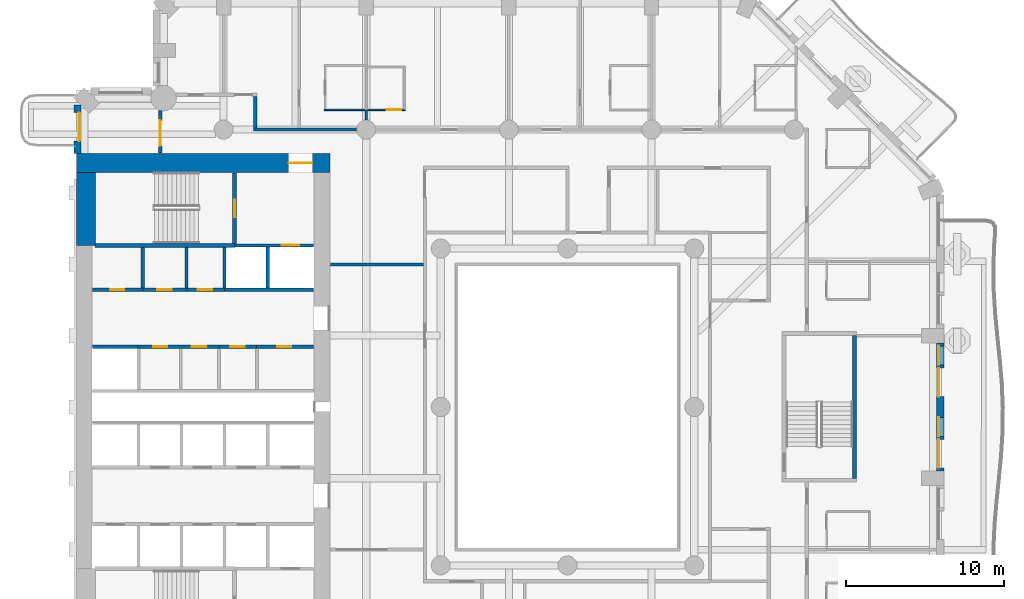
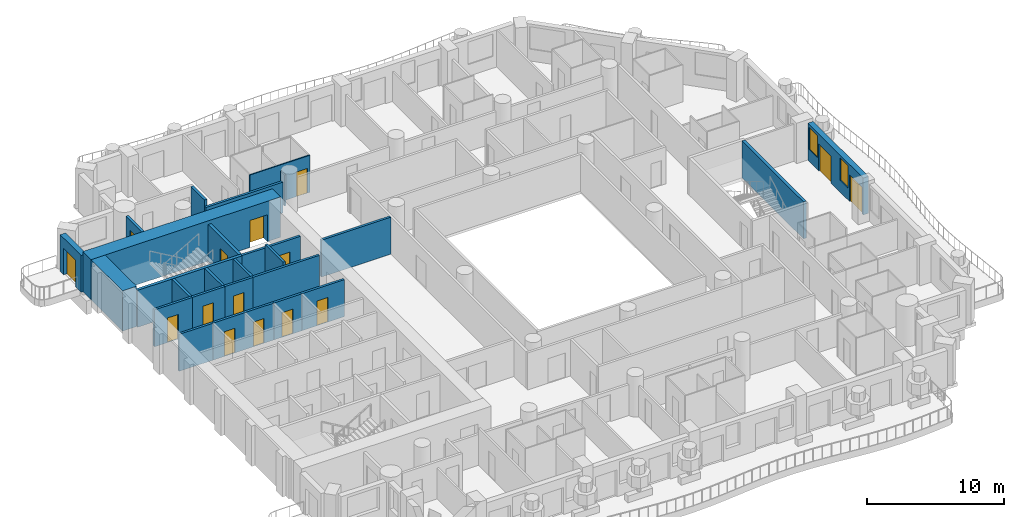
# One storey, part 7 of 20: 26 walls, 15 doors, 2 windows, 17 openings.
"""IFC4 building model written with IfcOpenShell, lengths in metres."""

from ifc_helpers import new_model, si_unit, direction, frame, frame_2d, origin, place, context, subcontext, project, spatial, rectangle, extrude, material, layer, layer_set, type_object, element, fill, save


model = new_model("IFC4")

# Units and contexts
model_context = context("Model", 3, precision=1e-05, world=origin(), true_north=direction((0.0, 1.0)))
body_context = subcontext(model_context, "Body", "Model", "MODEL_VIEW")
ifc_project = project(units=[si_unit("LENGTHUNIT", "METRE"), si_unit("AREAUNIT", "SQUARE_METRE"), si_unit("VOLUMEUNIT", "CUBIC_METRE"), si_unit("PLANEANGLEUNIT", "RADIAN"), si_unit("MASSUNIT", "GRAM", prefix="KILO")], contexts=[model_context])

# Site, building, storey
site_placement = place(None, origin())
site = spatial("IfcSite", under=ifc_project, at=site_placement, CompositionType="ELEMENT")
building_placement = place(site_placement, origin())
building = spatial("IfcBuilding", under=site, at=building_placement, Name="Cypress Arch Tower", CompositionType="ELEMENT")
storey_placement = place(building_placement, frame((0.0, 0.0, 77.10009765625)))
storey = spatial("IfcBuildingStorey", under=building, at=storey_placement, Name="L13", CompositionType="ELEMENT", Elevation=77.10009765625)

# Wall, opening, door
ifc_material_1 = material(Name="Brick (red buff blend)", Category="masonry")
ifc_layer_1 = layer(ifc_material_1, 0.449951171875)
ifc_layer_set_1 = layer_set([ifc_layer_1], Name="Brick pier and spandrel wall BW450")
wall_type_1 = type_object("IfcWallType", Name="Brick pier and spandrel wall BW450", PredefinedType="SOLIDWALL", material=ifc_layer_set_1)
wall_1_placement = place(storey_placement, frame((-29.925048828125, 19.063720703125, 0.0), z_axis=(0.0, 0.0, 1.0), x_axis=(0.0, -1.0, 0.0)))
wall_1 = element("IfcWall", 1, at=wall_1_placement, inside=storey, type_object=wall_type_1, Name="Brick wall L13 A00.0", PredefinedType="SOLIDWALL", context=body_context, shape_type="SweptSolid", body=[
    extrude(rectangle(XDim=3.063720703125, YDim=0.449951171875, at=frame_2d((1.53173828125, 0.0))), origin(), (0.0, 0.0, 1.0), 3.2998046875),
])
opening_1_placement = place(wall_1_placement, frame((0.481689453125, 0.0, 0.0)))
opening_1 = element("IfcOpeningElement", 2, at=opening_1_placement, cuts=wall_1, Name="Opening D-L13-A00.0.1", PredefinedType="OPENING", context=body_context, shape_type="SweptSolid", body=[
    extrude(rectangle(XDim=1.800048828125, YDim=2.39990234375, at=frame_2d((0.89990234375, 1.199951171875))), frame((0.0, 0.23486328125, 0.0), z_axis=(0.0, -1.0, 0.0), x_axis=(1.0, 0.0, 0.0)), (0.0, 0.0, 1.0), 0.469970703125),
])
ifc_material_2 = material(Name="Anodised aluminium, bronze finish, laminated low-emissivity double glazing, large-missile impact rated", Category="aluminium")
door_type_1 = type_object("IfcDoorType", Name="Balcony sliding door 1800x2400", OperationType="SLIDING_TO_LEFT", PredefinedType="DOOR", material=ifc_material_2)
door_1_placement = place(opening_1_placement, origin())
door_1 = element("IfcDoor", 3, at=door_1_placement, inside=storey, type_object=door_type_1, Name="Balcony door L13 A00.0.1", OperationType="SLIDING_TO_LEFT", OverallHeight=2.39990234375, OverallWidth=1.800048828125, PredefinedType="DOOR", context=body_context, shape_type="SweptSolid", body=[
    extrude(rectangle(XDim=1.800048828125, YDim=2.39990234375, at=frame_2d((0.89990234375, 1.199951171875))), frame((0.0, 0.1298828125, 0.0), z_axis=(0.0, -1.0, 0.0), x_axis=(1.0, 0.0, 0.0)), (0.0, 0.0, 1.0), 0.050048828125),
])
fill(opening_1, door_1)

# Wall, openings, doors, windows
wall_2_placement = place(storey_placement, frame((24.52490234375, -4.050048828125, 0.0), z_axis=(0.0, 0.0, 1.0), x_axis=(0.0, 1.0, 0.0)))
wall_2 = element("IfcWall", 4, at=wall_2_placement, inside=storey, type_object=wall_type_1, Name="Brick wall L13 A06.2", PredefinedType="SOLIDWALL", context=body_context, shape_type="SweptSolid", body=[
    extrude(rectangle(XDim=8.10009765625, YDim=0.449951171875, at=frame_2d((4.050048828125, 0.0))), origin(), (0.0, 0.0, 1.0), 3.2998046875),
])
opening_2_placement = place(wall_2_placement, frame((0.199951171875, 0.0, 0.0)))
opening_2 = element("IfcOpeningElement", 5, at=opening_2_placement, cuts=wall_2, Name="Opening D-L13-A06.2.1", PredefinedType="OPENING", context=body_context, shape_type="SweptSolid", body=[
    extrude(rectangle(XDim=1.800048828125, YDim=2.39990234375, at=frame_2d((0.89990234375, 1.199951171875))), frame((0.0, 0.23486328125, 0.0), z_axis=(0.0, -1.0, 0.0), x_axis=(1.0, 0.0, 0.0)), (0.0, 0.0, 1.0), 0.469970703125),
])
opening_3_placement = place(wall_2_placement, frame((2.199951171875, 0.0, 1.050048828125)))
opening_3 = element("IfcOpeningElement", 6, at=opening_3_placement, cuts=wall_2, Name="Opening W120HD", PredefinedType="OPENING", context=body_context, shape_type="SweptSolid", body=[
    extrude(rectangle(XDim=1.199951171875, YDim=2.0, at=frame_2d((0.60009765625, 1.0))), frame((0.0, 0.23486328125, 0.0), z_axis=(0.0, -1.0, 0.0), x_axis=(1.0, 0.0, 0.0)), (0.0, 0.0, 1.0), 0.469970703125),
])
opening_4_placement = place(wall_2_placement, frame((4.699951171875, 0.0, 0.0)))
opening_4 = element("IfcOpeningElement", 7, at=opening_4_placement, cuts=wall_2, Name="Opening D-L13-A06.2.2", PredefinedType="OPENING", context=body_context, shape_type="SweptSolid", body=[
    extrude(rectangle(XDim=1.800048828125, YDim=2.39990234375, at=frame_2d((0.89990234375, 1.199951171875))), frame((0.0, 0.23486328125, 0.0), z_axis=(0.0, -1.0, 0.0), x_axis=(1.0, 0.0, 0.0)), (0.0, 0.0, 1.0), 0.469970703125),
])
opening_5_placement = place(wall_2_placement, frame((6.699951171875, 0.0, 1.050048828125)))
opening_5 = element("IfcOpeningElement", 8, at=opening_5_placement, cuts=wall_2, Name="Opening W120HD", PredefinedType="OPENING", context=body_context, shape_type="SweptSolid", body=[
    extrude(rectangle(XDim=1.199951171875, YDim=2.0, at=frame_2d((0.60009765625, 1.0))), frame((0.0, 0.23486328125, 0.0), z_axis=(0.0, -1.0, 0.0), x_axis=(1.0, 0.0, 0.0)), (0.0, 0.0, 1.0), 0.469970703125),
])
door_2_placement = place(opening_2_placement, origin())
door_2 = element("IfcDoor", 9, at=door_2_placement, inside=storey, type_object=door_type_1, Name="Balcony door L13 A06.2.1", OperationType="SLIDING_TO_LEFT", OverallHeight=2.39990234375, OverallWidth=1.800048828125, PredefinedType="DOOR", context=body_context, shape_type="SweptSolid", body=[
    extrude(rectangle(XDim=1.800048828125, YDim=2.39990234375, at=frame_2d((0.89990234375, 1.199951171875))), frame((0.0, 0.1298828125, 0.0), z_axis=(0.0, -1.0, 0.0), x_axis=(1.0, 0.0, 0.0)), (0.0, 0.0, 1.0), 0.050048828125),
])
fill(opening_2, door_2)
door_3_placement = place(opening_4_placement, origin())
door_3 = element("IfcDoor", 10, at=door_3_placement, inside=storey, type_object=door_type_1, Name="Balcony door L13 A06.2.2", OperationType="SLIDING_TO_LEFT", OverallHeight=2.39990234375, OverallWidth=1.800048828125, PredefinedType="DOOR", context=body_context, shape_type="SweptSolid", body=[
    extrude(rectangle(XDim=1.800048828125, YDim=2.39990234375, at=frame_2d((0.89990234375, 1.199951171875))), frame((0.0, 0.1298828125, 0.0), z_axis=(0.0, -1.0, 0.0), x_axis=(1.0, 0.0, 0.0)), (0.0, 0.0, 1.0), 0.050048828125),
])
fill(opening_4, door_3)
ifc_material_3 = material(Name="Anodised aluminium, bronze finish, laminated low-emissivity double glazing, large-missile impact rated", Category="aluminium")
window_type = type_object("IfcWindowType", Name="Window Hotel 1200x2000 debris-rated", PartitioningType="SINGLE_PANEL", PredefinedType="WINDOW", material=ifc_material_3)
window_1_placement = place(opening_3_placement, origin())
window_1 = element("IfcWindow", 11, at=window_1_placement, inside=storey, type_object=window_type, Name="Window L13 A06.2.1", OverallHeight=2.0, OverallWidth=1.199951171875, PartitioningType="SINGLE_PANEL", PredefinedType="WINDOW", context=body_context, shape_type="SweptSolid", body=[
    extrude(rectangle(XDim=1.199951171875, YDim=2.0, at=frame_2d((0.60009765625, 1.0))), frame((0.0, 0.135009765625, 0.0), z_axis=(0.0, -1.0, 0.0), x_axis=(1.0, 0.0, 0.0)), (0.0, 0.0, 1.0), 0.06005859375),
])
fill(opening_3, window_1)
window_2_placement = place(opening_5_placement, origin())
window_2 = element("IfcWindow", 12, at=window_2_placement, inside=storey, type_object=window_type, Name="Window L13 A06.2.2", OverallHeight=2.0, OverallWidth=1.199951171875, PartitioningType="SINGLE_PANEL", PredefinedType="WINDOW", context=body_context, shape_type="SweptSolid", body=[
    extrude(rectangle(XDim=1.199951171875, YDim=2.0, at=frame_2d((0.60009765625, 1.0))), frame((0.0, 0.135009765625, 0.0), z_axis=(0.0, -1.0, 0.0), x_axis=(1.0, 0.0, 0.0)), (0.0, 0.0, 1.0), 0.06005859375),
])
fill(opening_5, window_2)

# Wall, opening, door
ifc_material_4 = material(Name="Concrete C80/95", Category="concrete")
ifc_layer_2 = layer(ifc_material_4, 1.199951171875)
ifc_layer_set_2 = layer_set([ifc_layer_2], Name="Core wall CW1200 C80/95")
wall_type_2 = type_object("IfcWallType", Name="Core wall CW1200 C80/95", PredefinedType="SHEAR", material=ifc_layer_set_2)
wall_3_placement = place(storey_placement, frame((-30.0, 15.39990234375, 0.0), z_axis=(0.0, 0.0, 1.0), x_axis=(1.0, 0.0, 0.0)))
wall_3 = element("IfcWall", 13, at=wall_3_placement, inside=storey, type_object=wall_type_2, Name="Core wall", PredefinedType="SHEAR", context=body_context, shape_type="SweptSolid", body=[
    extrude(rectangle(XDim=16.0, YDim=1.199951171875, at=frame_2d((8.0, 0.0))), origin(), (0.0, 0.0, 1.0), 3.599853515625),
])
opening_6_placement = place(wall_3_placement, frame((13.39990234375, 0.0, 0.0)))
opening_6 = element("IfcOpeningElement", 14, at=opening_6_placement, cuts=wall_3, Name="Opening D07", PredefinedType="OPENING", context=body_context, shape_type="SweptSolid", body=[
    extrude(rectangle(XDim=1.5, YDim=2.39990234375, at=frame_2d((0.75, 1.199951171875))), frame((0.0, 0.60986328125, 0.0), z_axis=(0.0, -1.0, 0.0), x_axis=(1.0, 0.0, 0.0)), (0.0, 0.0, 1.0), 1.219970703125),
])
ifc_material_5 = material(Name="Steel framed glazed door, fire resisting", Category="steel")
door_type_2 = type_object("IfcDoorType", Name="Lobby door D07 1500x2400", OperationType="DOUBLE_DOOR_SINGLE_SWING", PredefinedType="DOOR", material=ifc_material_5)
door_4_placement = place(opening_6_placement, origin())
door_4 = element("IfcDoor", 15, at=door_4_placement, inside=storey, type_object=door_type_2, Name="Lobby door", OperationType="DOUBLE_DOOR_SINGLE_SWING", OverallHeight=2.39990234375, OverallWidth=1.5, PredefinedType="DOOR", context=body_context, shape_type="SweptSolid", body=[
    extrude(rectangle(XDim=1.5, YDim=2.39990234375, at=frame_2d((0.75, 1.199951171875))), frame((0.0, 0.02490234375, 0.0), z_axis=(0.0, -1.0, 0.0), x_axis=(1.0, 0.0, 0.0)), (0.0, 0.0, 1.0), 0.050048828125),
])
fill(opening_6, door_4)

# Wall
wall_4_placement = place(storey_placement, frame((-29.39990234375, 10.199951171875, 0.0), z_axis=(0.0, 0.0, 1.0), x_axis=(0.0, 1.0, 0.0)))
element("IfcWall", 16, at=wall_4_placement, inside=storey, type_object=wall_type_2, Name="Core wall", PredefinedType="SHEAR", context=body_context, shape_type="SweptSolid", body=[
    extrude(rectangle(XDim=4.60009765625, YDim=1.199951171875, at=frame_2d((2.300048828125, 0.0))), origin(), (0.0, 0.0, 1.0), 3.599853515625),
])

# Wall, opening, door
ifc_material_6 = material(Name="Concrete blockwork, plastered, rated", Category="masonry")
ifc_layer_3 = layer(ifc_material_6, 0.199951171875)
ifc_layer_set_3 = layer_set([ifc_layer_3], Name="Corridor wall FW200")
wall_type_3 = type_object("IfcWallType", Name="Corridor wall FW200", PredefinedType="PARTITIONING", material=ifc_layer_set_3)
wall_5_placement = place(storey_placement, frame((-28.969970703125, 7.39990234375, 0.0), z_axis=(0.0, 0.0, 1.0), x_axis=(1.0, 0.0, 0.0)))
wall_5 = element("IfcWall", 17, at=wall_5_placement, inside=storey, type_object=wall_type_3, Name="Corridor wall", PredefinedType="PARTITIONING", context=body_context, shape_type="SweptSolid", body=[
    extrude(rectangle(XDim=3.18994140625, YDim=0.199951171875, at=frame_2d((1.594970703125, 0.0))), origin(), (0.0, 0.0, 1.0), 3.2998046875),
])
opening_7_placement = place(wall_5_placement, frame((1.10009765625, 0.0, 0.0)))
opening_7 = element("IfcOpeningElement", 18, at=opening_7_placement, cuts=wall_5, Name="Opening D05", PredefinedType="OPENING", context=body_context, shape_type="SweptSolid", body=[
    extrude(rectangle(XDim=0.89990234375, YDim=2.199951171875, at=frame_2d((0.449951171875, 1.10009765625))), frame((0.0, 0.10986328125, 0.0), z_axis=(0.0, -1.0, 0.0), x_axis=(1.0, 0.0, 0.0)), (0.0, 0.0, 1.0), 0.219970703125),
])
ifc_material_7 = material(Name="Timber flush door", Category="wood")
door_type_3 = type_object("IfcDoorType", Name="Service door D05 900x2200", OperationType="SINGLE_SWING_LEFT", PredefinedType="DOOR", material=ifc_material_7)
door_5_placement = place(opening_7_placement, origin())
door_5 = element("IfcDoor", 19, at=door_5_placement, inside=storey, type_object=door_type_3, Name="Service door", OperationType="SINGLE_SWING_RIGHT", OverallHeight=2.199951171875, OverallWidth=0.89990234375, PredefinedType="DOOR", context=body_context, shape_type="SweptSolid", body=[
    extrude(rectangle(XDim=0.89990234375, YDim=2.199951171875, at=frame_2d((0.449951171875, 1.10009765625))), frame((0.0, 0.02490234375, 0.0), z_axis=(0.0, -1.0, 0.0), x_axis=(1.0, 0.0, 0.0)), (0.0, 0.0, 1.0), 0.050048828125),
])
fill(opening_7, door_5)

# Wall, openings, doors
wall_6_placement = place(storey_placement, frame((-26.10009765625, 3.800048828125, 0.0), z_axis=(0.0, 0.0, 1.0), x_axis=(1.0, 0.0, 0.0)))
wall_6 = element("IfcWall", 20, at=wall_6_placement, inside=storey, type_object=wall_type_3, Name="Corridor wall", PredefinedType="PARTITIONING", context=body_context, shape_type="SweptSolid", body=[
    extrude(rectangle(XDim=5.1201171875, YDim=0.199951171875, at=frame_2d((2.56005859375, 0.0))), origin(), (0.0, 0.0, 1.0), 3.2998046875),
])
opening_8_placement = place(wall_6_placement, frame((0.949951171875, 0.0, 0.0)))
opening_8 = element("IfcOpeningElement", 21, at=opening_8_placement, cuts=wall_6, Name="Opening D05", PredefinedType="OPENING", context=body_context, shape_type="SweptSolid", body=[
    extrude(rectangle(XDim=0.89990234375, YDim=2.199951171875, at=frame_2d((0.449951171875, 1.10009765625))), frame((0.0, 0.10986328125, 0.0), z_axis=(0.0, -1.0, 0.0), x_axis=(1.0, 0.0, 0.0)), (0.0, 0.0, 1.0), 0.219970703125),
])
opening_9_placement = place(wall_6_placement, frame((3.39990234375, 0.0, 0.0)))
opening_9 = element("IfcOpeningElement", 22, at=opening_9_placement, cuts=wall_6, Name="Opening D05", PredefinedType="OPENING", context=body_context, shape_type="SweptSolid", body=[
    extrude(rectangle(XDim=0.89990234375, YDim=2.199951171875, at=frame_2d((0.449951171875, 1.10009765625))), frame((0.0, 0.10986328125, 0.0), z_axis=(0.0, -1.0, 0.0), x_axis=(1.0, 0.0, 0.0)), (0.0, 0.0, 1.0), 0.219970703125),
])
door_6_placement = place(opening_8_placement, origin())
door_6 = element("IfcDoor", 23, at=door_6_placement, inside=storey, type_object=door_type_3, Name="Service door", OperationType="SINGLE_SWING_LEFT", OverallHeight=2.199951171875, OverallWidth=0.89990234375, PredefinedType="DOOR", context=body_context, shape_type="SweptSolid", body=[
    extrude(rectangle(XDim=0.89990234375, YDim=2.199951171875, at=frame_2d((0.449951171875, 1.10009765625))), frame((0.0, 0.02490234375, 0.0), z_axis=(0.0, -1.0, 0.0), x_axis=(1.0, 0.0, 0.0)), (0.0, 0.0, 1.0), 0.050048828125),
])
fill(opening_8, door_6)
door_7_placement = place(opening_9_placement, origin())
door_7 = element("IfcDoor", 24, at=door_7_placement, inside=storey, type_object=door_type_3, Name="Service door", OperationType="SINGLE_SWING_RIGHT", OverallHeight=2.199951171875, OverallWidth=0.89990234375, PredefinedType="DOOR", context=body_context, shape_type="SweptSolid", body=[
    extrude(rectangle(XDim=0.89990234375, YDim=2.199951171875, at=frame_2d((0.449951171875, 1.10009765625))), frame((0.0, 0.02490234375, 0.0), z_axis=(0.0, -1.0, 0.0), x_axis=(1.0, 0.0, 0.0)), (0.0, 0.0, 1.0), 0.050048828125),
])
fill(opening_9, door_7)

# Wall, opening, door
wall_7_placement = place(storey_placement, frame((-24.699951171875, 16.030029296875, 0.0), z_axis=(0.0, 0.0, 1.0), x_axis=(0.0, 1.0, 0.0)))
wall_7 = element("IfcWall", 25, at=wall_7_placement, inside=storey, type_object=wall_type_3, Name="Corridor wall", PredefinedType="PARTITIONING", context=body_context, shape_type="SweptSolid", body=[
    extrude(rectangle(XDim=2.670166015625, YDim=0.199951171875, at=frame_2d((1.3349609375, 0.0))), origin(), (0.0, 0.0, 1.0), 3.2998046875),
])
opening_10_placement = place(wall_7_placement, frame((0.449951171875, 0.0, 0.0)))
opening_10 = element("IfcOpeningElement", 26, at=opening_10_placement, cuts=wall_7, Name="Opening D10", PredefinedType="OPENING", context=body_context, shape_type="SweptSolid", body=[
    extrude(rectangle(XDim=1.60009765625, YDim=2.39990234375, at=frame_2d((0.800048828125, 1.199951171875))), frame((0.0, 0.10986328125, 0.0), z_axis=(0.0, -1.0, 0.0), x_axis=(1.0, 0.0, 0.0)), (0.0, 0.0, 1.0), 0.219970703125),
])
ifc_material_8 = material(Name="Black aluminium glazed door", Category="aluminium")
door_type_4 = type_object("IfcDoorType", Name="Amenity door D10 1600x2400", OperationType="DOUBLE_DOOR_SINGLE_SWING", PredefinedType="DOOR", material=ifc_material_8)
door_8_placement = place(opening_10_placement, origin())
door_8 = element("IfcDoor", 27, at=door_8_placement, inside=storey, type_object=door_type_4, Name="Amenity door", OperationType="DOUBLE_DOOR_SINGLE_SWING", OverallHeight=2.39990234375, OverallWidth=1.60009765625, PredefinedType="DOOR", context=body_context, shape_type="SweptSolid", body=[
    extrude(rectangle(XDim=1.60009765625, YDim=2.39990234375, at=frame_2d((0.800048828125, 1.199951171875))), frame((0.0, 0.02490234375, 0.0), z_axis=(0.0, -1.0, 0.0), x_axis=(1.0, 0.0, 0.0)), (0.0, 0.0, 1.0), 0.050048828125),
])
fill(opening_10, door_8)

wall_8_placement = place(storey_placement, frame((-23.02001953125, 7.39990234375, 0.0), z_axis=(0.0, 0.0, 1.0), x_axis=(1.0, 0.0, 0.0)))
wall_8 = element("IfcWall", 28, at=wall_8_placement, inside=storey, type_object=wall_type_3, Name="Corridor wall", PredefinedType="PARTITIONING", context=body_context, shape_type="SweptSolid", body=[
    extrude(rectangle(XDim=2.380126953125, YDim=0.199951171875, at=frame_2d((1.18994140625, 0.0))), origin(), (0.0, 0.0, 1.0), 3.2998046875),
])
opening_11_placement = place(wall_8_placement, frame((0.699951171875, 0.0, 0.0)))
opening_11 = element("IfcOpeningElement", 29, at=opening_11_placement, cuts=wall_8, Name="Opening D05", PredefinedType="OPENING", context=body_context, shape_type="SweptSolid", body=[
    extrude(rectangle(XDim=0.89990234375, YDim=2.199951171875, at=frame_2d((0.449951171875, 1.10009765625))), frame((0.0, 0.10986328125, 0.0), z_axis=(0.0, -1.0, 0.0), x_axis=(1.0, 0.0, 0.0)), (0.0, 0.0, 1.0), 0.219970703125),
])
door_9_placement = place(opening_11_placement, origin())
door_9 = element("IfcDoor", 30, at=door_9_placement, inside=storey, type_object=door_type_3, Name="Service door", OperationType="SINGLE_SWING_LEFT", OverallHeight=2.199951171875, OverallWidth=0.89990234375, PredefinedType="DOOR", context=body_context, shape_type="SweptSolid", body=[
    extrude(rectangle(XDim=0.89990234375, YDim=2.199951171875, at=frame_2d((0.449951171875, 1.10009765625))), frame((0.0, 0.02490234375, 0.0), z_axis=(0.0, -1.0, 0.0), x_axis=(1.0, 0.0, 0.0)), (0.0, 0.0, 1.0), 0.050048828125),
])
fill(opening_11, door_9)

# Walls
wall_9_placement = place(storey_placement, frame((-18.699951171875, 17.60009765625, 0.0), z_axis=(0.0, 0.0, 1.0), x_axis=(0.0, 1.0, 0.0)))
element("IfcWall", 31, at=wall_9_placement, inside=storey, type_object=wall_type_3, Name="Corridor wall", PredefinedType="PARTITIONING", context=body_context, shape_type="SweptSolid", body=[
    extrude(rectangle(XDim=2.0, YDim=0.199951171875, at=frame_2d((1.0, 0.0))), origin(), (0.0, 0.0, 1.0), 3.2998046875),
])
wall_10_placement = place(storey_placement, frame((-18.800048828125, 17.5, 0.0), z_axis=(0.0, 0.0, 1.0), x_axis=(1.0, 0.0, 0.0)))
element("IfcWall", 32, at=wall_10_placement, inside=storey, type_object=wall_type_3, Name="Corridor wall", PredefinedType="PARTITIONING", context=body_context, shape_type="SweptSolid", body=[
    extrude(rectangle(XDim=6.5, YDim=0.199951171875, at=frame_2d((3.25, 0.0))), origin(), (0.0, 0.0, 1.0), 2.75),
])

# Wall, opening, door
wall_11_placement = place(storey_placement, frame((-18.6201171875, 3.800048828125, 0.0), z_axis=(0.0, 0.0, 1.0), x_axis=(1.0, 0.0, 0.0)))
wall_11 = element("IfcWall", 33, at=wall_11_placement, inside=storey, type_object=wall_type_3, Name="Corridor wall", PredefinedType="PARTITIONING", context=body_context, shape_type="SweptSolid", body=[
    extrude(rectangle(XDim=3.590087890625, YDim=0.199951171875, at=frame_2d((1.794921875, 0.0))), origin(), (0.0, 0.0, 1.0), 3.2998046875),
])
opening_12_placement = place(wall_11_placement, frame((1.300048828125, 0.0, 0.0)))
opening_12 = element("IfcOpeningElement", 34, at=opening_12_placement, cuts=wall_11, Name="Opening D05", PredefinedType="OPENING", context=body_context, shape_type="SweptSolid", body=[
    extrude(rectangle(XDim=0.89990234375, YDim=2.199951171875, at=frame_2d((0.449951171875, 1.10009765625))), frame((0.0, 0.10986328125, 0.0), z_axis=(0.0, -1.0, 0.0), x_axis=(1.0, 0.0, 0.0)), (0.0, 0.0, 1.0), 0.219970703125),
])
door_10_placement = place(opening_12_placement, origin())
door_10 = element("IfcDoor", 35, at=door_10_placement, inside=storey, type_object=door_type_3, Name="Service door", OperationType="SINGLE_SWING_RIGHT", OverallHeight=2.199951171875, OverallWidth=0.89990234375, PredefinedType="DOOR", context=body_context, shape_type="SweptSolid", body=[
    extrude(rectangle(XDim=0.89990234375, YDim=2.199951171875, at=frame_2d((0.449951171875, 1.10009765625))), frame((0.0, 0.02490234375, 0.0), z_axis=(0.0, -1.0, 0.0), x_axis=(1.0, 0.0, 0.0)), (0.0, 0.0, 1.0), 0.050048828125),
])
fill(opening_12, door_10)

# Walls
wall_12_placement = place(storey_placement, frame((-13.969970703125, 9.0, 0.0), z_axis=(0.0, 0.0, 1.0), x_axis=(1.0, 0.0, 0.0)))
element("IfcWall", 36, at=wall_12_placement, inside=storey, type_object=wall_type_3, Name="Corridor wall", PredefinedType="PARTITIONING", context=body_context, shape_type="SweptSolid", body=[
    extrude(rectangle(XDim=5.869873046875, YDim=0.199951171875, at=frame_2d((2.93505859375, 0.0))), origin(), (0.0, 0.0, 1.0), 3.2998046875),
])
ifc_material_9 = material(Name="Blockwork, plastered both sides", Category="masonry")
ifc_layer_4 = layer(ifc_material_9, 0.14990234375)
ifc_layer_set_4 = layer_set([ifc_layer_4], Name="Partition PW150")
wall_type_4 = type_object("IfcWallType", Name="Partition PW150", PredefinedType="PARTITIONING", material=ifc_layer_set_4)
wall_13_placement = place(storey_placement, frame((-11.699951171875, 18.10009765625, 0.0), z_axis=(0.0, 0.0, 1.0), x_axis=(0.0, 1.0, 0.0)))
element("IfcWall", 37, at=wall_13_placement, inside=storey, type_object=wall_type_4, Name="Partition", PredefinedType="PARTITIONING", context=body_context, shape_type="SweptSolid", body=[
    extrude(rectangle(XDim=0.6298828125, YDim=0.14990234375, at=frame_2d((0.31494140625, 0.0))), origin(), (0.0, 0.0, 1.0), 2.75),
])

# Wall, opening, door
ifc_material_10 = material(Name="Reinforced blockwork, plastered, rated", Category="masonry")
ifc_layer_5 = layer(ifc_material_10, 0.199951171875)
ifc_layer_set_5 = layer_set([ifc_layer_5], Name="Plant and riser wall PL200")
wall_type_5 = type_object("IfcWallType", Name="Plant and riser wall PL200", PredefinedType="PARTITIONING", material=ifc_layer_set_5)
wall_14_placement = place(storey_placement, frame((-25.780029296875, 7.39990234375, 0.0), z_axis=(0.0, 0.0, 1.0), x_axis=(1.0, 0.0, 0.0)))
wall_14 = element("IfcWall", 38, at=wall_14_placement, inside=storey, type_object=wall_type_5, Name="Plant and riser wall", PredefinedType="PARTITIONING", context=body_context, shape_type="SweptSolid", body=[
    extrude(rectangle(XDim=2.760009765625, YDim=0.199951171875, at=frame_2d((1.3798828125, 0.0))), origin(), (0.0, 0.0, 1.0), 3.2998046875),
])
opening_13_placement = place(wall_14_placement, frame((0.89990234375, 0.0, 0.0)))
opening_13 = element("IfcOpeningElement", 39, at=opening_13_placement, cuts=wall_14, Name="Opening D05", PredefinedType="OPENING", context=body_context, shape_type="SweptSolid", body=[
    extrude(rectangle(XDim=0.89990234375, YDim=2.199951171875, at=frame_2d((0.449951171875, 1.10009765625))), frame((0.0, 0.10986328125, 0.0), z_axis=(0.0, -1.0, 0.0), x_axis=(1.0, 0.0, 0.0)), (0.0, 0.0, 1.0), 0.219970703125),
])
door_11_placement = place(opening_13_placement, origin())
door_11 = element("IfcDoor", 40, at=door_11_placement, inside=storey, type_object=door_type_3, Name="Service door", OperationType="SINGLE_SWING_LEFT", OverallHeight=2.199951171875, OverallWidth=0.89990234375, PredefinedType="DOOR", context=body_context, shape_type="SweptSolid", body=[
    extrude(rectangle(XDim=0.89990234375, YDim=2.199951171875, at=frame_2d((0.449951171875, 1.10009765625))), frame((0.0, 0.02490234375, 0.0), z_axis=(0.0, -1.0, 0.0), x_axis=(1.0, 0.0, 0.0)), (0.0, 0.0, 1.0), 0.050048828125),
])
fill(opening_13, door_11)

# Walls
for number, where, z_axis, x_axis, name in (
    (41, (-25.800048828125, 7.5, 0.0), (0.0, 0.0, 1.0), (0.0, 1.0, 0.0), "Plant and riser wall"),
    (42, (-23.0400390625, 7.5, 0.0), (0.0, 0.0, 1.0), (0.0, 1.0, 0.0), "Plant and riser wall"),
):
    element("IfcWall", number, at=place(storey_placement, frame(where, z_axis=z_axis, x_axis=x_axis)), inside=storey, type_object=wall_type_5, Name=name, PredefinedType="PARTITIONING", context=body_context, shape_type="SweptSolid", body=[
        extrude(rectangle(XDim=2.574951171875, YDim=0.199951171875, at=frame_2d((1.28759765625, 0.0))), origin(), (0.0, 0.0, 1.0), 3.2998046875),
    ])

# Wall, opening, door
wall_15_placement = place(storey_placement, frame((-20.97998046875, 3.800048828125, 0.0), z_axis=(0.0, 0.0, 1.0), x_axis=(1.0, 0.0, 0.0)))
wall_15 = element("IfcWall", 43, at=wall_15_placement, inside=storey, type_object=wall_type_5, Name="Plant and riser wall", PredefinedType="PARTITIONING", context=body_context, shape_type="SweptSolid", body=[
    extrude(rectangle(XDim=2.35986328125, YDim=0.199951171875, at=frame_2d((1.179931640625, 0.0))), origin(), (0.0, 0.0, 1.0), 3.2998046875),
])
opening_14_placement = place(wall_15_placement, frame((0.699951171875, 0.0, 0.0)))
opening_14 = element("IfcOpeningElement", 44, at=opening_14_placement, cuts=wall_15, Name="Opening D05", PredefinedType="OPENING", context=body_context, shape_type="SweptSolid", body=[
    extrude(rectangle(XDim=0.89990234375, YDim=2.199951171875, at=frame_2d((0.449951171875, 1.10009765625))), frame((0.0, 0.10986328125, 0.0), z_axis=(0.0, -1.0, 0.0), x_axis=(1.0, 0.0, 0.0)), (0.0, 0.0, 1.0), 0.219970703125),
])
door_12_placement = place(opening_14_placement, origin())
door_12 = element("IfcDoor", 45, at=door_12_placement, inside=storey, type_object=door_type_3, Name="Service door", OperationType="SINGLE_SWING_RIGHT", OverallHeight=2.199951171875, OverallWidth=0.89990234375, PredefinedType="DOOR", context=body_context, shape_type="SweptSolid", body=[
    extrude(rectangle(XDim=0.89990234375, YDim=2.199951171875, at=frame_2d((0.449951171875, 1.10009765625))), frame((0.0, 0.02490234375, 0.0), z_axis=(0.0, -1.0, 0.0), x_axis=(1.0, 0.0, 0.0)), (0.0, 0.0, 1.0), 0.050048828125),
])
fill(opening_14, door_12)

# Walls
ifc_material_11 = material(Name="Concrete C50/60", Category="concrete")
ifc_layer_6 = layer(ifc_material_11, 0.199951171875)
ifc_layer_set_6 = layer_set([ifc_layer_6], Name="Shaft wall SH200")
wall_type_6 = type_object("IfcWallType", Name="Shaft wall SH200", PredefinedType="SHEAR", material=ifc_layer_set_6)
wall_16_placement = place(storey_placement, frame((-28.969970703125, 3.800048828125, 0.0), z_axis=(0.0, 0.0, 1.0), x_axis=(1.0, 0.0, 0.0)))
element("IfcWall", 46, at=wall_16_placement, inside=storey, type_object=wall_type_6, Name="Shaft wall", PredefinedType="SHEAR", context=body_context, shape_type="SweptSolid", body=[
    extrude(rectangle(XDim=2.869873046875, YDim=0.199951171875, at=frame_2d((1.43505859375, 0.0))), origin(), (0.0, 0.0, 1.0), 3.2998046875),
])
wall_17_placement = place(storey_placement, frame((-20.639892578125, 7.5, 0.0), z_axis=(0.0, 0.0, 1.0), x_axis=(0.0, 1.0, 0.0)))
element("IfcWall", 47, at=wall_17_placement, inside=storey, type_object=wall_type_6, Name="Shaft wall", PredefinedType="SHEAR", context=body_context, shape_type="SweptSolid", body=[
    extrude(rectangle(XDim=2.574951171875, YDim=0.199951171875, at=frame_2d((1.28759765625, 0.0))), origin(), (0.0, 0.0, 1.0), 3.2998046875),
])
wall_18_placement = place(storey_placement, frame((-20.639892578125, 7.39990234375, 0.0), z_axis=(0.0, 0.0, 1.0), x_axis=(1.0, 0.0, 0.0)))
element("IfcWall", 48, at=wall_18_placement, inside=storey, type_object=wall_type_6, Name="Shaft wall", PredefinedType="SHEAR", context=body_context, shape_type="SweptSolid", body=[
    extrude(rectangle(XDim=5.60986328125, YDim=0.199951171875, at=frame_2d((2.804931640625, 0.0))), origin(), (0.0, 0.0, 1.0), 3.2998046875),
])

# Wall, opening, door
wall_19_placement = place(storey_placement, frame((-19.97998046875, 10.199951171875, 0.0), z_axis=(0.0, 0.0, 1.0), x_axis=(1.0, 0.0, 0.0)))
wall_19 = element("IfcWall", 49, at=wall_19_placement, inside=storey, type_object=wall_type_6, Name="Shaft wall", PredefinedType="SHEAR", context=body_context, shape_type="SweptSolid", body=[
    extrude(rectangle(XDim=4.949951171875, YDim=0.199951171875, at=frame_2d((2.47509765625, 0.0))), origin(), (0.0, 0.0, 1.0), 3.2998046875),
])
opening_15_placement = place(wall_19_placement, frame((2.949951171875, 0.0, 0.0)))
opening_15 = element("IfcOpeningElement", 50, at=opening_15_placement, cuts=wall_19, Name="Opening LD-FL2", PredefinedType="OPENING", context=body_context, shape_type="SweptSolid", body=[
    extrude(rectangle(XDim=1.10009765625, YDim=2.199951171875, at=frame_2d((0.550048828125, 1.10009765625))), frame((0.0, 0.10986328125, 0.0), z_axis=(0.0, -1.0, 0.0), x_axis=(1.0, 0.0, 0.0)), (0.0, 0.0, 1.0), 0.219970703125),
])
ifc_material_12 = material(Name="Stainless steel centre-opening landing door, rated", Category="steel")
door_type_5 = type_object("IfcDoorType", Name="Lift landing door LD 1100x2200", OperationType="DOUBLE_DOOR_SLIDING", PredefinedType="DOOR", material=ifc_material_12)
door_13_placement = place(opening_15_placement, origin())
door_13 = element("IfcDoor", 51, at=door_13_placement, inside=storey, type_object=door_type_5, Name="Lift landing doors FL2", OperationType="DOUBLE_DOOR_SLIDING", OverallHeight=2.199951171875, OverallWidth=1.10009765625, PredefinedType="DOOR", context=body_context, shape_type="SweptSolid", body=[
    extrude(rectangle(XDim=1.10009765625, YDim=2.199951171875, at=frame_2d((0.550048828125, 1.10009765625))), frame((0.0, 0.02490234375, 0.0), z_axis=(0.0, -1.0, 0.0), x_axis=(1.0, 0.0, 0.0)), (0.0, 0.0, 1.0), 0.050048828125),
])
fill(opening_15, door_13)

# Walls
wall_20_placement = place(storey_placement, frame((-17.919921875, 7.5, 0.0), z_axis=(0.0, 0.0, 1.0), x_axis=(0.0, 1.0, 0.0)))
element("IfcWall", 52, at=wall_20_placement, inside=storey, type_object=wall_type_6, Name="Shaft wall", PredefinedType="SHEAR", context=body_context, shape_type="SweptSolid", body=[
    extrude(rectangle(XDim=2.60009765625, YDim=0.199951171875, at=frame_2d((1.300048828125, 0.0))), origin(), (0.0, 0.0, 1.0), 3.599853515625),
])
ifc_material_13 = material(Name="Concrete C50/60", Category="concrete")
ifc_layer_7 = layer(ifc_material_13, 0.25)
ifc_layer_set_7 = layer_set([ifc_layer_7], Name="Stair enclosure wall SW250")
wall_type_7 = type_object("IfcWallType", Name="Stair enclosure wall SW250", PredefinedType="SHEAR", material=ifc_layer_set_7)
wall_21_placement = place(storey_placement, frame((-28.81005859375, 10.199951171875, 0.0), z_axis=(0.0, 0.0, 1.0), x_axis=(1.0, 0.0, 0.0)))
element("IfcWall", 53, at=wall_21_placement, inside=storey, type_object=wall_type_7, Name="Stair enclosure wall", PredefinedType="SHEAR", context=body_context, shape_type="SweptSolid", body=[
    extrude(rectangle(XDim=8.830078125, YDim=0.25, at=frame_2d((4.4150390625, 0.0))), origin(), (0.0, 0.0, 1.0), 3.2998046875),
])

# Wall, opening, door
wall_22_placement = place(storey_placement, frame((-20.0, 10.324951171875, 0.0), z_axis=(0.0, 0.0, 1.0), x_axis=(0.0, 1.0, 0.0)))
wall_22 = element("IfcWall", 54, at=wall_22_placement, inside=storey, type_object=wall_type_7, Name="Stair enclosure wall", PredefinedType="SHEAR", context=body_context, shape_type="SweptSolid", body=[
    extrude(rectangle(XDim=4.445068359375, YDim=0.25, at=frame_2d((2.22265625, 0.0))), origin(), (0.0, 0.0, 1.0), 3.2998046875),
])
opening_16_placement = place(wall_22_placement, frame((1.64990234375, 0.0, 0.0)))
opening_16 = element("IfcOpeningElement", 55, at=opening_16_placement, cuts=wall_22, Name="Opening D06", PredefinedType="OPENING", context=body_context, shape_type="SweptSolid", body=[
    extrude(rectangle(XDim=1.10009765625, YDim=2.199951171875, at=frame_2d((0.550048828125, 1.10009765625))), frame((0.0, 0.135009765625, 0.0), z_axis=(0.0, -1.0, 0.0), x_axis=(1.0, 0.0, 0.0)), (0.0, 0.0, 1.0), 0.27001953125),
])
ifc_material_14 = material(Name="Steel door, fire resisting, panic bar", Category="steel")
door_type_6 = type_object("IfcDoorType", Name="Stair door D06 1100x2200", OperationType="SINGLE_SWING_LEFT", PredefinedType="DOOR", material=ifc_material_14)
door_14_placement = place(opening_16_placement, origin())
door_14 = element("IfcDoor", 56, at=door_14_placement, inside=storey, type_object=door_type_6, Name="Stair door", OperationType="SINGLE_SWING_LEFT", OverallHeight=2.199951171875, OverallWidth=1.10009765625, PredefinedType="DOOR", context=body_context, shape_type="SweptSolid", body=[
    extrude(rectangle(XDim=1.10009765625, YDim=2.199951171875, at=frame_2d((0.550048828125, 1.10009765625))), frame((0.0, 0.02490234375, 0.0), z_axis=(0.0, -1.0, 0.0), x_axis=(1.0, 0.0, 0.0)), (0.0, 0.0, 1.0), 0.050048828125),
])
fill(opening_16, door_14)

# Wall
wall_23_placement = place(storey_placement, frame((19.125, -4.5, 0.0), z_axis=(0.0, 0.0, 1.0), x_axis=(0.0, 1.0, 0.0)))
element("IfcWall", 57, at=wall_23_placement, inside=storey, type_object=wall_type_7, Name="Stair enclosure wall", PredefinedType="SHEAR", context=body_context, shape_type="SweptSolid", body=[
    extrude(rectangle(XDim=9.0, YDim=0.25, at=frame_2d((4.5, 0.0))), origin(), (0.0, 0.0, 1.0), 3.2998046875),
])

# Wall, opening, door
ifc_material_15 = material(Name="Moisture resistant board on steel studs, tiled", Category="steel")
ifc_layer_8 = layer(ifc_material_15, 0.10009765625)
ifc_layer_set_8 = layer_set([ifc_layer_8], Name="Wet wall PW100")
wall_type_8 = type_object("IfcWallType", Name="Wet wall PW100", PredefinedType="PARTITIONING", material=ifc_layer_set_8)
wall_24_placement = place(storey_placement, frame((-14.345947265625, 18.75, 0.0), z_axis=(0.0, 0.0, 1.0), x_axis=(1.0, 0.0, 0.0)))
wall_24 = element("IfcWall", 58, at=wall_24_placement, inside=storey, type_object=wall_type_8, Name="Wet wall", PredefinedType="PARTITIONING", context=body_context, shape_type="SweptSolid", body=[
    extrude(rectangle(XDim=5.092041015625, YDim=0.10009765625, at=frame_2d((2.5458984375, 0.0))), origin(), (0.0, 0.0, 1.0), 3.2998046875),
])
opening_17_placement = place(wall_24_placement, frame((3.949951171875, 0.0, 0.0)))
opening_17 = element("IfcOpeningElement", 59, at=opening_17_placement, cuts=wall_24, Name="Opening D03", PredefinedType="OPENING", context=body_context, shape_type="SweptSolid", body=[
    extrude(rectangle(XDim=0.89990234375, YDim=2.199951171875, at=frame_2d((0.449951171875, 1.10009765625))), frame((0.0, 0.06005859375, 0.0), z_axis=(0.0, -1.0, 0.0), x_axis=(1.0, 0.0, 0.0)), (0.0, 0.0, 1.0), 0.1201171875),
])
ifc_material_16 = material(Name="Timber flush door, moisture resistant", Category="wood")
door_type_7 = type_object("IfcDoorType", Name="Bathroom door D03 900x2200", OperationType="SINGLE_SWING_LEFT", PredefinedType="DOOR", material=ifc_material_16)
door_15_placement = place(opening_17_placement, origin())
door_15 = element("IfcDoor", 60, at=door_15_placement, inside=storey, type_object=door_type_7, Name="Bathroom door", OperationType="SINGLE_SWING_RIGHT", OverallHeight=2.199951171875, OverallWidth=0.89990234375, PredefinedType="DOOR", context=body_context, shape_type="SweptSolid", body=[
    extrude(rectangle(XDim=0.89990234375, YDim=2.199951171875, at=frame_2d((0.449951171875, 1.10009765625))), frame((0.0, 0.02490234375, 0.0), z_axis=(0.0, -1.0, 0.0), x_axis=(1.0, 0.0, 0.0)), (0.0, 0.0, 1.0), 0.050048828125),
])
fill(opening_17, door_15)

save(model, "model.ifc")
